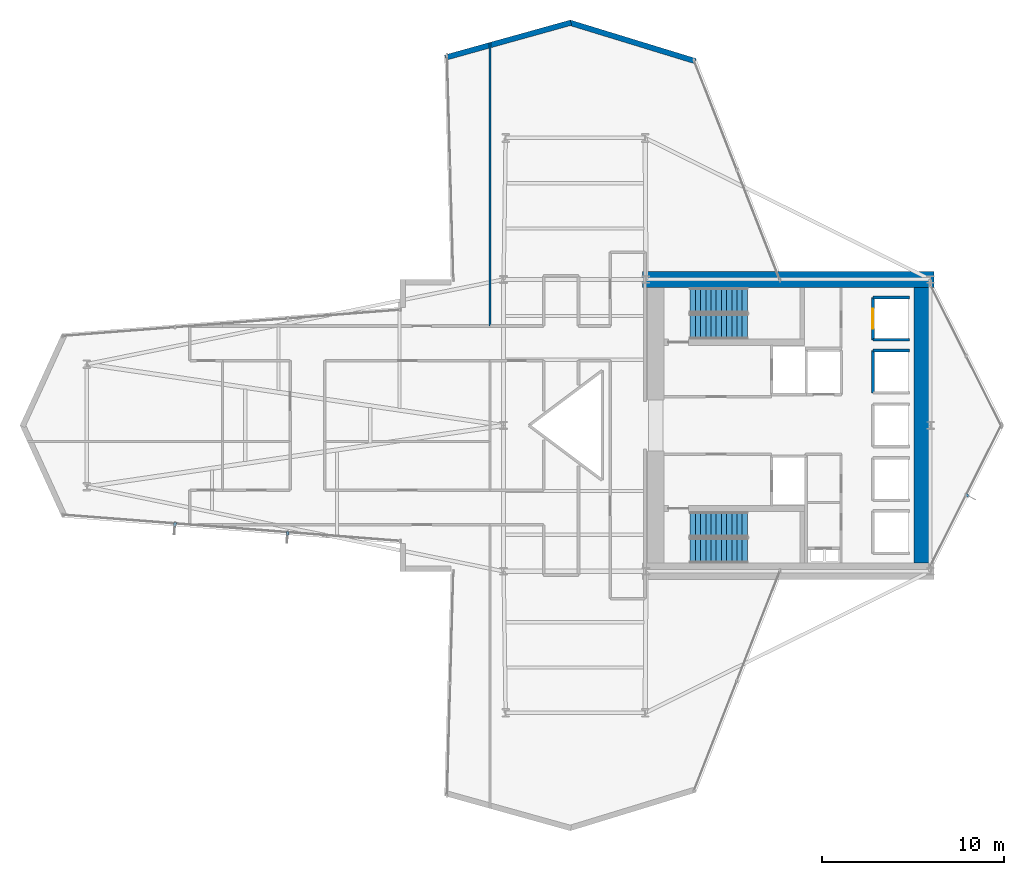
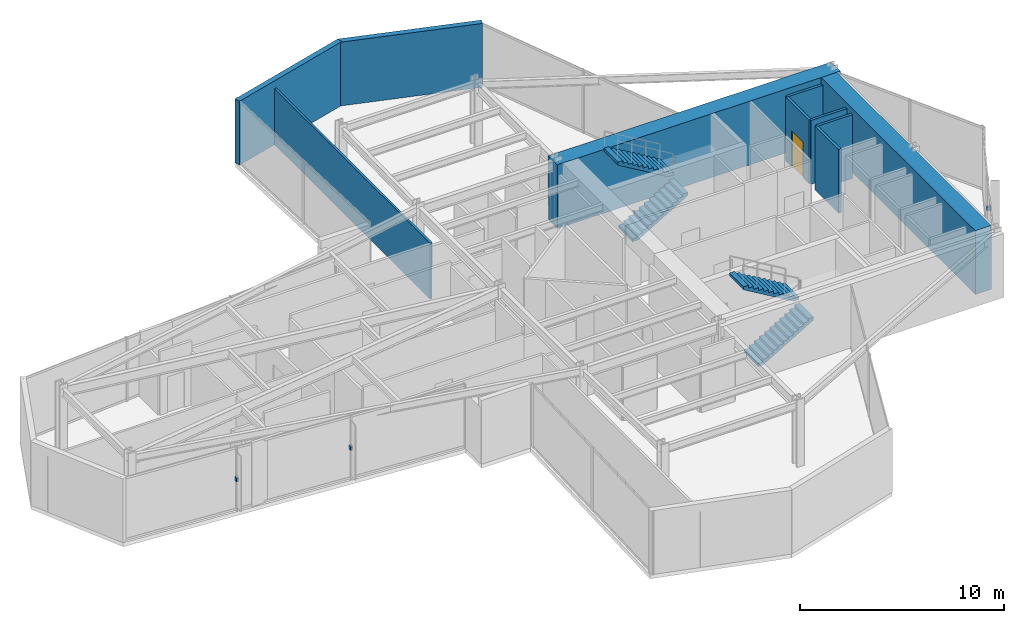
# One storey, part 29 of 30: 10 walls, 4 stair flights, 3 discrete accessories, 1 door, 1 opening, 2 elements without a shape of their own.
"""IFC4 building model written with IfcOpenShell, lengths in metres."""

from ifc_helpers import new_model, si_unit, direction, frame, frame_2d, origin, origin_2d, place, context, subcontext, project, spatial, polyline, rectangle, outline, extrude, material, layer, layer_set, type_object, element, fill, aggregate, save


model = new_model("IFC4")

# Units and contexts
model_context = context("Model", 3, precision=1e-05, world=origin(), true_north=direction((0.0, 1.0)))
body_context = subcontext(model_context, "Body", "Model", "MODEL_VIEW")
ifc_project = project(units=[si_unit("LENGTHUNIT", "METRE"), si_unit("AREAUNIT", "SQUARE_METRE"), si_unit("VOLUMEUNIT", "CUBIC_METRE"), si_unit("PLANEANGLEUNIT", "RADIAN"), si_unit("MASSUNIT", "GRAM", prefix="KILO")], contexts=[model_context])

# Site, building, storey
site_placement = place(None, origin())
site = spatial("IfcSite", under=ifc_project, at=site_placement, CompositionType="ELEMENT")
building_placement = place(site_placement, origin())
building = spatial("IfcBuilding", under=site, at=building_placement, Name="Veymaron Broadcast Tower", CompositionType="ELEMENT")
storey_placement = place(building_placement, frame((0.0, 0.0, 54.0)))
storey = spatial("IfcBuildingStorey", under=building, at=storey_placement, Name="L11", CompositionType="ELEMENT", Elevation=54.0)

# Walls
ifc_material_1 = material(Name="Precast concrete C40/50 with mineral-wool insulation", Category="concrete")
ifc_layer_1 = layer(ifc_material_1, 0.300048828125)
ifc_layer_set_1 = layer_set([ifc_layer_1], Name="Precast concrete C40/50 with mineral-wool insulation")
wall_type_1 = type_object("IfcWallType", Name="WALL-EXT-300", PredefinedType="STANDARD", material=ifc_layer_set_1)
wall_1_placement = place(storey_placement, frame((41.71142578125, 43.97021484375, 0.0), z_axis=(0.0, 0.0, 1.0), x_axis=(-0.956174816369, 0.292796380685, 0.0)))
element("IfcWall", 1, at=wall_1_placement, inside=storey, type_object=wall_type_1, Name="L11 notched corner facade pier 6-1", PredefinedType="STANDARD", context=body_context, shape_type="SweptSolid", body=[
    extrude(rectangle(XDim=7.212646484375, YDim=0.300048828125, at=frame_2d((3.6064453125, 0.0))), origin(), (0.0, 0.0, 1.0), 3.81005859375),
])
wall_2_placement = place(storey_placement, frame((34.8935546875, 46.0810546875, 0.0), z_axis=(0.0, 0.0, 1.0), x_axis=(-0.963365312104, -0.268192608836, 0.0)))
element("IfcWall", 2, at=wall_2_placement, inside=storey, type_object=wall_type_1, Name="L11 notched corner facade pier 7-1", PredefinedType="STANDARD", context=body_context, shape_type="SweptSolid", body=[
    extrude(rectangle(XDim=7.15869140625, YDim=0.300048828125, at=frame_2d((3.579345703125, 0.0))), origin(), (0.0, 0.0, 1.0), 3.81005859375),
])

# Wall, opening, door
ifc_material_2 = material(Name="Gypsum fireboard and steel stud framing", Category="steel")
ifc_layer_2 = layer(ifc_material_2, 0.14990234375)
ifc_layer_set_2 = layer_set([ifc_layer_2], Name="Gypsum fireboard and steel stud framing")
wall_type_2 = type_object("IfcWallType", Name="WALL-FIRE-150", PredefinedType="PARTITIONING", material=ifc_layer_set_2)
wall_3_placement = place(storey_placement, frame((51.445068359375, 28.68994140625, 0.0), z_axis=(0.0, 0.0, 1.0), x_axis=(0.0, 1.0, 0.0)))
wall_3 = element("IfcWall", 3, at=wall_3_placement, inside=storey, type_object=wall_type_2, Name="L11 partition IW-L11-SHW-PL1", PredefinedType="PARTITIONING", context=body_context, shape_type="SweptSolid", body=[
    extrude(rectangle(XDim=2.320068359375, YDim=0.14990234375, at=frame_2d((1.16015625, 0.0))), origin(), (0.0, 0.0, 1.0), 3.81005859375),
])
opening_placement = place(wall_3_placement, frame((0.610107421875, 0.0, 0.0)))
opening = element("IfcOpeningElement", 4, at=opening_placement, cuts=wall_3, Name="Opening LD", PredefinedType="OPENING", context=body_context, shape_type="SweptSolid", body=[
    extrude(rectangle(XDim=1.10009765625, YDim=2.14990234375, at=frame_2d((0.550048828125, 1.074951171875))), frame((0.0, 0.0849609375, 0.0), z_axis=(0.0, -1.0, 0.0), x_axis=(1.0, 0.0, 0.0)), (0.0, 0.0, 1.0), 0.169921875),
])
ifc_material_3 = material(Name="Brushed stainless steel AISI 304", Category="steel")
door_type = type_object("IfcDoorType", Name="DOOR-LIFT-1100", OperationType="DOUBLE_DOOR_SLIDING", PredefinedType="DOOR", material=ifc_material_3)
door_placement = place(opening_placement, frame((1.10009765625, 0.0, 0.0), z_axis=(0.0, 0.0, 1.0), x_axis=(-1.0, 0.0, 0.0)))
door = element("IfcDoor", 5, at=door_placement, inside=storey, type_object=door_type, Name="L11 door LD-L11-PL1", OperationType="DOUBLE_DOOR_SLIDING", OverallHeight=2.14990234375, OverallWidth=1.10009765625, PredefinedType="DOOR", context=body_context, shape_type="SweptSolid", body=[
    extrude(rectangle(XDim=1.10009765625, YDim=2.14990234375, at=frame_2d((0.550048828125, 1.074951171875))), frame((0.0, 0.02490234375, 0.0), z_axis=(0.0, -1.0, 0.0), x_axis=(1.0, 0.0, 0.0)), (0.0, 0.0, 1.0), 0.050048828125),
])
fill(opening, door)

# Walls
for number, where, z_axis, x_axis, name in (
    (6, (51.445068359375, 28.68994140625, 0.0), (0.0, 0.0, 1.0), (1.0, 0.0, 0.0), "L11 partition IW-L11-SHS-PL1"),
    (7, (51.445068359375, 31.010009765625, 0.0), (0.0, 0.0, 1.0), (1.0, 0.0, 0.0), "L11 partition IW-L11-SHN-PL1"),
):
    element("IfcWall", number, at=place(storey_placement, frame(where, z_axis=z_axis, x_axis=x_axis)), inside=storey, type_object=wall_type_2, Name=name, PredefinedType="PARTITIONING", context=body_context, shape_type="SweptSolid", body=[
        extrude(rectangle(XDim=2.014892578125, YDim=0.14990234375, at=frame_2d((1.00732421875, 0.0))), origin(), (0.0, 0.0, 1.0), 3.81005859375),
    ])
wall_4_placement = place(storey_placement, frame((51.445068359375, 25.7900390625, 0.0), z_axis=(0.0, 0.0, 1.0), x_axis=(0.0, 1.0, 0.0)))
element("IfcWall", 8, at=wall_4_placement, inside=storey, type_object=wall_type_2, Name="L11 partition IW-L11-SHW-PM1", PredefinedType="PARTITIONING", context=body_context, shape_type="SweptSolid", body=[
    extrude(rectangle(XDim=2.320068359375, YDim=0.14990234375, at=frame_2d((1.16015625, 0.0))), origin(), (0.0, 0.0, 1.0), 3.81005859375),
])
wall_5_placement = place(storey_placement, frame((51.445068359375, 28.110107421875, 0.0), z_axis=(0.0, 0.0, 1.0), x_axis=(1.0, 0.0, 0.0)))
element("IfcWall", 9, at=wall_5_placement, inside=storey, type_object=wall_type_2, Name="L11 partition IW-L11-SHN-PM1", PredefinedType="PARTITIONING", context=body_context, shape_type="SweptSolid", body=[
    extrude(rectangle(XDim=2.014892578125, YDim=0.14990234375, at=frame_2d((1.00732421875, 0.0))), origin(), (0.0, 0.0, 1.0), 3.81005859375),
])
ifc_material_4 = material(Name="Acoustic gypsum board and galvanized stud", Category="gypsum")
ifc_layer_3 = layer(ifc_material_4, 0.1201171875)
ifc_layer_set_3 = layer_set([ifc_layer_3], Name="Acoustic gypsum board and galvanized stud")
wall_type_3 = type_object("IfcWallType", Name="WALL-PART-120", PredefinedType="PARTITIONING", material=ifc_layer_set_3)
wall_6_placement = place(storey_placement, frame((30.458984375, 29.449951171875, 0.0), z_axis=(0.0, 0.0, 1.0), x_axis=(0.0, 1.0, 0.0)))
element("IfcWall", 10, at=wall_6_placement, inside=storey, type_object=wall_type_3, Name="L11 partition IW-L11-P46", PredefinedType="PARTITIONING", context=body_context, shape_type="SweptSolid", body=[
    extrude(rectangle(XDim=15.541748046875, YDim=0.1201171875, at=frame_2d((7.77099609375, 0.0))), origin(), (0.0, 0.0, 1.0), 3.337890625),
])
ifc_material_5 = material(Name="Concrete C70/85", Category="concrete")
ifc_layer_4 = layer(ifc_material_5, 0.89990234375)
ifc_layer_set_4 = layer_set([ifc_layer_4], Name="Concrete C70/85")
wall_type_4 = type_object("IfcWallType", Name="WALL-SHEAR-900", PredefinedType="SHEAR", material=ifc_layer_set_4)
wall_7_placement = place(storey_placement, frame((38.800048828125, 32.0, 0.0), z_axis=(0.0, 0.0, 1.0), x_axis=(1.0, 0.0, 0.0)))
element("IfcWall", 11, at=wall_7_placement, inside=storey, type_object=wall_type_4, Name="L11 Core Wall north shear", PredefinedType="SHEAR", context=body_context, shape_type="SweptSolid", body=[
    extrude(rectangle(XDim=16.0, YDim=0.89990234375, at=frame_2d((8.0, 0.0))), origin(), (0.0, 0.0, 1.0), 3.81005859375),
])
wall_8_placement = place(storey_placement, frame((54.14990234375, 16.449951171875, 0.0), z_axis=(0.0, 0.0, 1.0), x_axis=(0.0, 1.0, 0.0)))
element("IfcWall", 12, at=wall_8_placement, inside=storey, type_object=wall_type_4, Name="L11 Core Wall east shear", PredefinedType="SHEAR", context=body_context, shape_type="SweptSolid", body=[
    extrude(rectangle(XDim=15.10009765625, YDim=0.89990234375, at=frame_2d((7.550048828125, 0.0))), origin(), (0.0, 0.0, 1.0), 3.81005859375),
])

# Stair, stair flights
ifc_material_6 = material(Name="Concrete C50/60", Category="concrete")
stair_type_1 = type_object("IfcStairType", Name="STAIR-CORE-1", PredefinedType="HALF_TURN_STAIR", material=ifc_material_6)
stair_1_placement = place(storey_placement, origin())
stair_1 = element("IfcStair", 13, at=stair_1_placement, inside=storey, type_object=stair_type_1, Name="L11 North protected dog-leg exit stair ST1", PredefinedType="HALF_TURN_STAIR")
ifc_material_7 = material(Name="Precast concrete C50/60", Category="concrete")
stair_flight_type = type_object("IfcStairFlightType", Name="FLT-CORE-RC", PredefinedType="STRAIGHT", material=ifc_material_7)
stair_flight_1_placement = place(storey_placement, frame((41.429931640625, 29.419921875, 0.0), z_axis=(0.0, 0.0, 1.0), x_axis=(1.0, 0.0, 0.0)))
stair_flight_1 = element("IfcStairFlight", 14, at=stair_flight_1_placement, type_object=stair_flight_type, Name="ST1 flight 1", NumberOfRisers=12, NumberOfTreads=11, PredefinedType="STRAIGHT", RiserHeight=0.16875, TreadLength=0.285, context=body_context, shape_type="SweptSolid", body=[
    extrude(outline(polyline([(0.0, 0.0), (0.0, 0.168701171875), (0.284912109375, 0.168701171875), (0.284912109375, 0.33740234375), (0.570068359375, 0.33740234375), (0.570068359375, 0.50634765625), (0.85498046875, 0.50634765625), (0.85498046875, 0.675048828125), (1.139892578125, 0.675048828125), (1.139892578125, 0.84375), (1.425048828125, 0.84375), (1.425048828125, 1.012451171875), (1.7099609375, 1.012451171875), (1.7099609375, 1.18115234375), (1.9951171875, 1.18115234375), (1.9951171875, 1.35009765625), (2.280029296875, 1.35009765625), (2.280029296875, 1.518798828125), (2.56494140625, 1.518798828125), (2.56494140625, 1.6875), (2.85009765625, 1.6875), (2.85009765625, 1.856201171875), (3.135009765625, 1.856201171875), (3.135009765625, 2.02490234375), (3.135009765625, 1.68212890625), (0.294189453125, 0.0), (0.0, 0.0)])), frame((0.0, 0.68994140625, 0.0), z_axis=(0.0, -1.0, 0.0), x_axis=(1.0, 0.0, 0.0)), (0.0, 0.0, 1.0), 1.3798828125),
])
stair_flight_2_placement = place(storey_placement, frame((44.56494140625, 30.860107421875, 2.02490234375), z_axis=(0.0, 0.0, 1.0), x_axis=(-1.0, 0.0, 0.0)))
stair_flight_2 = element("IfcStairFlight", 15, at=stair_flight_2_placement, type_object=stair_flight_type, Name="ST1 flight 2", NumberOfRisers=12, NumberOfTreads=11, PredefinedType="STRAIGHT", RiserHeight=0.16875, TreadLength=0.285, context=body_context, shape_type="SweptSolid", body=[
    extrude(outline(polyline([(0.0, 0.0), (0.0, 0.168701171875), (0.284912109375, 0.168701171875), (0.284912109375, 0.33740234375), (0.570068359375, 0.33740234375), (0.570068359375, 0.50634765625), (0.85498046875, 0.50634765625), (0.85498046875, 0.675048828125), (1.139892578125, 0.675048828125), (1.139892578125, 0.84375), (1.425048828125, 0.84375), (1.425048828125, 1.012451171875), (1.7099609375, 1.012451171875), (1.7099609375, 1.18115234375), (1.9951171875, 1.18115234375), (1.9951171875, 1.35009765625), (2.280029296875, 1.35009765625), (2.280029296875, 1.518798828125), (2.56494140625, 1.518798828125), (2.56494140625, 1.6875), (2.85009765625, 1.6875), (2.85009765625, 1.856201171875), (3.135009765625, 1.856201171875), (3.135009765625, 2.02490234375), (3.135009765625, 1.68212890625), (0.294189453125, 0.0), (0.0, 0.0)])), frame((0.0, 0.68994140625, 0.0), z_axis=(0.0, -1.0, 0.0), x_axis=(1.0, 0.0, 0.0)), (0.0, 0.0, 1.0), 1.3798828125),
])
aggregate(stair_1, [stair_flight_1, stair_flight_2])

stair_type_2 = type_object("IfcStairType", Name="STAIR-CORE-2", PredefinedType="HALF_TURN_STAIR", material=ifc_material_6)
stair_2_placement = place(storey_placement, origin())
stair_2 = element("IfcStair", 16, at=stair_2_placement, inside=storey, type_object=stair_type_2, Name="L11 South protected dog-leg exit stair ST2", PredefinedType="HALF_TURN_STAIR")
stair_flight_3_placement = place(storey_placement, frame((41.429931640625, 17.139892578125, 0.0), z_axis=(0.0, 0.0, 1.0), x_axis=(1.0, 0.0, 0.0)))
stair_flight_3 = element("IfcStairFlight", 17, at=stair_flight_3_placement, type_object=stair_flight_type, Name="ST2 flight 1", NumberOfRisers=12, NumberOfTreads=11, PredefinedType="STRAIGHT", RiserHeight=0.16875, TreadLength=0.285, context=body_context, shape_type="SweptSolid", body=[
    extrude(outline(polyline([(0.0, 0.0), (0.0, 0.168701171875), (0.284912109375, 0.168701171875), (0.284912109375, 0.33740234375), (0.570068359375, 0.33740234375), (0.570068359375, 0.50634765625), (0.85498046875, 0.50634765625), (0.85498046875, 0.675048828125), (1.139892578125, 0.675048828125), (1.139892578125, 0.84375), (1.425048828125, 0.84375), (1.425048828125, 1.012451171875), (1.7099609375, 1.012451171875), (1.7099609375, 1.18115234375), (1.9951171875, 1.18115234375), (1.9951171875, 1.35009765625), (2.280029296875, 1.35009765625), (2.280029296875, 1.518798828125), (2.56494140625, 1.518798828125), (2.56494140625, 1.6875), (2.85009765625, 1.6875), (2.85009765625, 1.856201171875), (3.135009765625, 1.856201171875), (3.135009765625, 2.02490234375), (3.135009765625, 1.68212890625), (0.294189453125, 0.0), (0.0, 0.0)])), frame((0.0, 0.68994140625, 0.0), z_axis=(0.0, -1.0, 0.0), x_axis=(1.0, 0.0, 0.0)), (0.0, 0.0, 1.0), 1.3798828125),
])
stair_flight_4_placement = place(storey_placement, frame((44.56494140625, 18.580078125, 2.02490234375), z_axis=(0.0, 0.0, 1.0), x_axis=(-1.0, 0.0, 0.0)))
stair_flight_4 = element("IfcStairFlight", 18, at=stair_flight_4_placement, type_object=stair_flight_type, Name="ST2 flight 2", NumberOfRisers=12, NumberOfTreads=11, PredefinedType="STRAIGHT", RiserHeight=0.16875, TreadLength=0.285, context=body_context, shape_type="SweptSolid", body=[
    extrude(outline(polyline([(0.0, 0.0), (0.0, 0.168701171875), (0.284912109375, 0.168701171875), (0.284912109375, 0.33740234375), (0.570068359375, 0.33740234375), (0.570068359375, 0.50634765625), (0.85498046875, 0.50634765625), (0.85498046875, 0.675048828125), (1.139892578125, 0.675048828125), (1.139892578125, 0.84375), (1.425048828125, 0.84375), (1.425048828125, 1.012451171875), (1.7099609375, 1.012451171875), (1.7099609375, 1.18115234375), (1.9951171875, 1.18115234375), (1.9951171875, 1.35009765625), (2.280029296875, 1.35009765625), (2.280029296875, 1.518798828125), (2.56494140625, 1.518798828125), (2.56494140625, 1.6875), (2.85009765625, 1.6875), (2.85009765625, 1.856201171875), (3.135009765625, 1.856201171875), (3.135009765625, 2.02490234375), (3.135009765625, 1.68212890625), (0.294189453125, 0.0), (0.0, 0.0)])), frame((0.0, 0.68994140625, 0.0), z_axis=(0.0, -1.0, 0.0), x_axis=(1.0, 0.0, 0.0)), (0.0, 0.0, 1.0), 1.3798828125),
])
aggregate(stair_2, [stair_flight_3, stair_flight_4])

# Discrete accessories
ifc_material_8 = material(Name="Austenitic stainless steel AISI 316L", Category="steel")
ifc_layer_5 = layer(ifc_material_8, 0.1201171875)
ifc_layer_set_5 = layer_set([ifc_layer_5], Name="Austenitic stainless steel AISI 316L")
discrete_accessory_type = type_object("IfcDiscreteAccessoryType", Name="ACC-BRKT-SS1", PredefinedType="BRACKET", material=ifc_layer_set_5)
for number, where, z_axis, x_axis, name in (
    (19, (56.609130859375, 20.163818359375, 1.794921875), (0.0, 0.0, 1.0), (0.892994654267, -0.450067269918, 0.0), "CW-L11-E2-1 fin bracket 1"),
    (20, (13.18212890625, 18.561279296875, 1.794921875), (0.0, 0.0, 1.0), (-0.07729327653, -0.997008399866, 0.0), "CW-L11-E14-1 fin bracket 1"),
    (21, (19.358154296875, 18.08251953125, 1.794921875), (0.0, 0.0, 1.0), (-0.07729327653, -0.997008399866, 0.0), "CW-L11-E14-1 fin bracket 2"),
):
    element("IfcDiscreteAccessory", number, at=place(storey_placement, frame(where, z_axis=z_axis, x_axis=x_axis)), inside=storey, type_object=discrete_accessory_type, Name=name, PredefinedType="BRACKET", context=body_context, shape_type="SweptSolid", body=[
        extrude(rectangle(XDim=0.219970703125, YDim=0.139892578125, at=origin_2d()), origin(), (0.0, 0.0, 1.0), 0.219970703125),
    ])

save(model, "model.ifc")
